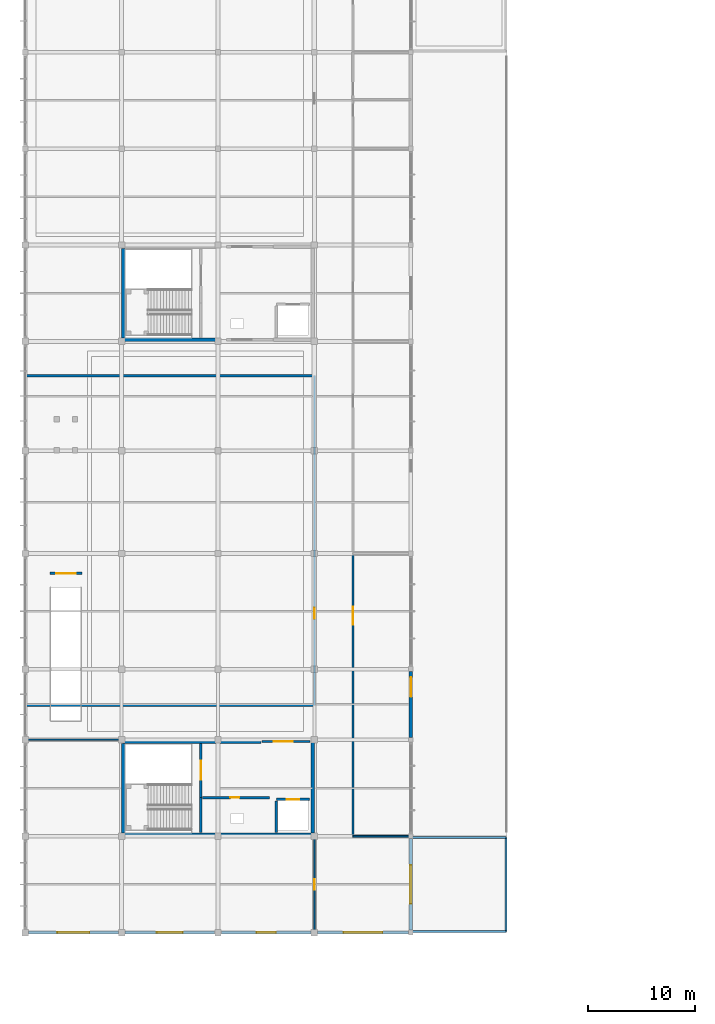
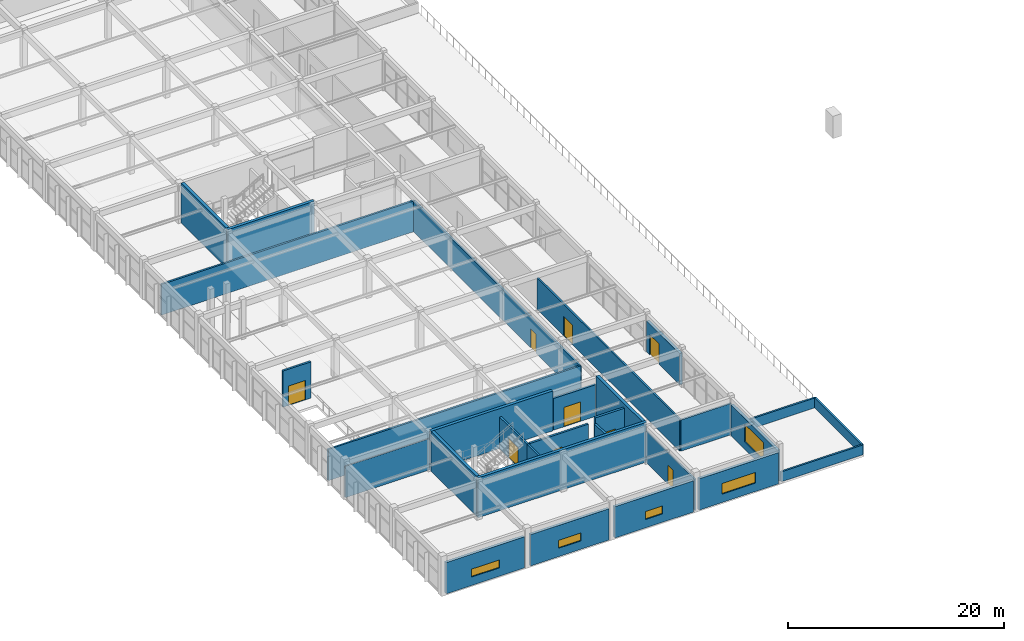
# One storey, part 66 of 89: 29 walls, 9 doors, 5 windows, 14 openings.
"""IFC4 building model written with IfcOpenShell, lengths in metres."""

from ifc_helpers import new_model, si_unit, direction, frame, frame_2d, origin, place, context, subcontext, project, spatial, rectangle, extrude, material, layer, layer_set, type_object, element, fill, save


model = new_model("IFC4")

# Units and contexts
model_context = context("Model", 3, precision=1e-05, world=origin(), true_north=direction((0.0, 1.0)))
body_context = subcontext(model_context, "Body", "Model", "MODEL_VIEW")
ifc_project = project(units=[si_unit("LENGTHUNIT", "METRE"), si_unit("AREAUNIT", "SQUARE_METRE"), si_unit("VOLUMEUNIT", "CUBIC_METRE"), si_unit("PLANEANGLEUNIT", "RADIAN"), si_unit("MASSUNIT", "GRAM", prefix="KILO")], contexts=[model_context])

# Site, building, storey
site_placement = place(None, origin())
site = spatial("IfcSite", under=ifc_project, at=site_placement, CompositionType="ELEMENT")
building_placement = place(site_placement, origin())
building = spatial("IfcBuilding", under=site, at=building_placement, Name="Suirenkawa Promenade Aquatics Centre", CompositionType="ELEMENT")
storey_placement = place(building_placement, frame((0.0, 0.0, 9.60009765625)))
storey = spatial("IfcBuildingStorey", under=building, at=storey_placement, Name="L02", CompositionType="ELEMENT", Elevation=9.60009765625)

# Wall, opening, door
ifc_material_1 = material(Name="Autoclaved aerated concrete blockwork Grade 1", Category="masonry")
ifc_layer_1 = layer(ifc_material_1, 0.199951171875, Name="Autoclaved aerated concrete blockwork Grade 1", Category="masonry")
ifc_layer_set_1 = layer_set([ifc_layer_1], Name="Autoclaved aerated concrete blockwork Grade 1")
wall_type_1 = type_object("IfcWallType", Name="WT-COMP-200", PredefinedType="PARTITIONING", material=ifc_layer_set_1)
wall_1_placement = place(storey_placement, frame((27.0, 25.39990234375, 0.0), z_axis=(0.0, 0.0, 1.0), x_axis=(0.0, 1.0, 0.0)))
wall_1 = element("IfcWall", 1, at=wall_1_placement, inside=storey, type_object=wall_type_1, Name="Interior wall WL-PRT-01 W-7258", PredefinedType="PARTITIONING", context=body_context, shape_type="SweptSolid", body=[
    extrude(rectangle(XDim=30.800048828125, YDim=0.199951171875, at=frame_2d((15.39990234375, 0.0))), origin(), (0.0, 0.0, 1.0), 3.474853515625),
])
opening_1_placement = place(wall_1_placement, frame((8.09912109375, 0.0, 0.0)))
opening_1 = element("IfcOpeningElement", 2, at=opening_1_placement, cuts=wall_1, Name="Opening ID-04", PredefinedType="OPENING", context=body_context, shape_type="SweptSolid", body=[
    extrude(rectangle(XDim=1.050048828125, YDim=2.14990234375, at=frame_2d((0.52490234375, 1.074951171875))), frame((0.0, 0.10986328125, 0.0), z_axis=(0.0, -1.0, 0.0), x_axis=(1.0, 0.0, 0.0)), (0.0, 0.0, 1.0), 0.219970703125),
])
ifc_material_2 = material(Name="Steel IS 2062 E350 (Grade 350)", Category="steel")
door_type_1 = type_object("IfcDoorType", Name="DT-FD120-1050x2150", OperationType="NOTDEFINED", PredefinedType="DOOR", material=ifc_material_2)
door_1_placement = place(opening_1_placement, origin())
door_1 = element("IfcDoor", 3, at=door_1_placement, inside=storey, type_object=door_type_1, Name="Interior door ID-04 DR-INT-0155", OperationType="SINGLE_SWING_RIGHT", OverallHeight=2.14990234375, OverallWidth=1.050048828125, PredefinedType="DOOR", context=body_context, shape_type="SweptSolid", body=[
    extrude(rectangle(XDim=1.050048828125, YDim=2.14990234375, at=frame_2d((0.52490234375, 1.074951171875))), frame((0.0, 0.02490234375, 0.0), z_axis=(0.0, -1.0, 0.0), x_axis=(1.0, 0.0, 0.0)), (0.0, 0.0, 1.0), 0.050048828125),
])
fill(opening_1, door_1)

# Walls
wall_2_placement = place(storey_placement, frame((0.0, 25.39990234375, 0.0), z_axis=(0.0, 0.0, 1.0), x_axis=(1.0, 0.0, 0.0)))
element("IfcWall", 4, at=wall_2_placement, inside=storey, type_object=wall_type_1, Name="Interior wall WL-PRT-01 W-7259", PredefinedType="PARTITIONING", context=body_context, shape_type="SweptSolid", body=[
    extrude(rectangle(XDim=27.0, YDim=0.199951171875, at=frame_2d((13.5, 0.0))), origin(), (0.0, 0.0, 1.0), 3.52490234375),
])
wall_3_placement = place(storey_placement, frame((0.0, 56.199951171875, 0.0), z_axis=(0.0, 0.0, 1.0), x_axis=(1.0, 0.0, 0.0)))
element("IfcWall", 5, at=wall_3_placement, inside=storey, type_object=wall_type_1, Name="Interior wall WL-PRT-01 W-7260", PredefinedType="PARTITIONING", context=body_context, shape_type="SweptSolid", body=[
    extrude(rectangle(XDim=27.0, YDim=0.199951171875, at=frame_2d((13.5, 0.0))), origin(), (0.0, 0.0, 1.0), 3.474853515625),
])
ifc_material_3 = material(Name="Concrete M40", Category="concrete")
ifc_layer_2 = layer(ifc_material_3, 0.320068359375, Name="Concrete M40", Category="concrete")
ifc_layer_set_2 = layer_set([ifc_layer_2], Name="Concrete M40")
wall_type_2 = type_object("IfcWallType", Name="WT-CORE-320", PredefinedType="SHEAR", material=ifc_layer_set_2)
wall_4_placement = place(storey_placement, frame((9.0, 13.360107421875, 0.0), z_axis=(0.0, 0.0, 1.0), x_axis=(1.0, 0.0, 0.0)))
element("IfcWall", 6, at=wall_4_placement, inside=storey, type_object=wall_type_2, Name="C1 south core wall WL-CORE-01 W-0062", PredefinedType="SHEAR", context=body_context, shape_type="SweptSolid", body=[
    extrude(rectangle(XDim=18.0, YDim=0.320068359375, at=frame_2d((9.0, 0.0))), origin(), (0.0, 0.0, 1.0), 4.5),
])
wall_5_placement = place(storey_placement, frame((9.0, 22.0400390625, 0.0), z_axis=(0.0, 0.0, 1.0), x_axis=(1.0, 0.0, 0.0)))
element("IfcWall", 7, at=wall_5_placement, inside=storey, type_object=wall_type_2, Name="C1 north core wall WL-CORE-01 W-0063", PredefinedType="SHEAR", context=body_context, shape_type="SweptSolid", body=[
    extrude(rectangle(XDim=13.0, YDim=0.320068359375, at=frame_2d((6.5, 0.0))), origin(), (0.0, 0.0, 1.0), 4.5),
])
wall_6_placement = place(storey_placement, frame((9.159912109375, 13.52001953125, 0.0), z_axis=(0.0, 0.0, 1.0), x_axis=(0.0, 1.0, 0.0)))
element("IfcWall", 8, at=wall_6_placement, inside=storey, type_object=wall_type_2, Name="C1 west core wall WL-CORE-01 W-0064", PredefinedType="SHEAR", context=body_context, shape_type="SweptSolid", body=[
    extrude(rectangle(XDim=8.35986328125, YDim=0.320068359375, at=frame_2d((4.179931640625, 0.0))), origin(), (0.0, 0.0, 1.0), 4.5),
])
wall_7_placement = place(storey_placement, frame((26.840087890625, 13.52001953125, 0.0), z_axis=(0.0, 0.0, 1.0), x_axis=(0.0, 1.0, 0.0)))
element("IfcWall", 9, at=wall_7_placement, inside=storey, type_object=wall_type_2, Name="C1 east core wall WL-CORE-01 W-0065", PredefinedType="SHEAR", context=body_context, shape_type="SweptSolid", body=[
    extrude(rectangle(XDim=8.47998046875, YDim=0.320068359375, at=frame_2d((4.239990234375, 0.0))), origin(), (0.0, 0.0, 1.0), 4.5),
])
wall_8_placement = place(storey_placement, frame((9.0, 59.56005859375, 0.0), z_axis=(0.0, 0.0, 1.0), x_axis=(1.0, 0.0, 0.0)))
element("IfcWall", 10, at=wall_8_placement, inside=storey, type_object=wall_type_2, Name="C2 south core wall WL-CORE-01 W-0092", PredefinedType="SHEAR", context=body_context, shape_type="SweptSolid", body=[
    extrude(rectangle(XDim=9.199951171875, YDim=0.320068359375, at=frame_2d((4.60009765625, 0.0))), origin(), (0.0, 0.0, 1.0), 4.5),
])
wall_9_placement = place(storey_placement, frame((9.159912109375, 59.719970703125, 0.0), z_axis=(0.0, 0.0, 1.0), x_axis=(0.0, 1.0, 0.0)))
element("IfcWall", 11, at=wall_9_placement, inside=storey, type_object=wall_type_2, Name="C2 west core wall WL-CORE-01 W-0096", PredefinedType="SHEAR", context=body_context, shape_type="SweptSolid", body=[
    extrude(rectangle(XDim=8.360107421875, YDim=0.320068359375, at=frame_2d((4.18017578125, 0.0))), origin(), (0.0, 0.0, 1.0), 4.5),
])

# Wall, opening, window
ifc_layer_3 = layer(ifc_material_3, 0.2900390625, Name="Concrete M40", Category="concrete")
ifc_layer_set_3 = layer_set([ifc_layer_3], Name="Concrete M40")
wall_type_3 = type_object("IfcWallType", Name="WT-EXT-290", PredefinedType="SOLIDWALL", material=ifc_layer_set_3)
wall_10_placement = place(storey_placement, frame((8.695068359375, 4.199951171875, 0.0), z_axis=(0.0, 0.0, 1.0), x_axis=(-1.0, 0.0, 0.0)))
wall_10 = element("IfcWall", 12, at=wall_10_placement, inside=storey, type_object=wall_type_3, Name="Exterior wall WL-EXT-03 W-5084", PredefinedType="SOLIDWALL", context=body_context, shape_type="SweptSolid", body=[
    extrude(rectangle(XDim=8.39013671875, YDim=0.2900390625, at=frame_2d((4.195068359375, 0.0))), origin(), (0.0, 0.0, 1.0), 3.52490234375),
])
opening_2_placement = place(wall_10_placement, frame((2.695068359375, 0.0, 0.949951171875)))
opening_2 = element("IfcOpeningElement", 13, at=opening_2_placement, cuts=wall_10, Name="Opening WN-02", PredefinedType="OPENING", context=body_context, shape_type="SweptSolid", body=[
    extrude(rectangle(XDim=3.0, YDim=0.89990234375, at=frame_2d((1.5, 0.449951171875))), frame((0.0, 0.155029296875, 0.0), z_axis=(0.0, -1.0, 0.0), x_axis=(1.0, 0.0, 0.0)), (0.0, 0.0, 1.0), 0.31005859375),
])
ifc_material_4 = material(Name="Low-E thermally broken double glazing", Category="glass")
window_type_1 = type_object("IfcWindowType", Name="WNT-RIB-3000x900", PartitioningType="SINGLE_PANEL", PredefinedType="WINDOW", material=ifc_material_4)
window_1_placement = place(opening_2_placement, origin())
window_1 = element("IfcWindow", 14, at=window_1_placement, inside=storey, type_object=window_type_1, Name="Window WN-02 WN-0031", OverallHeight=0.89990234375, OverallWidth=3.0, PartitioningType="SINGLE_PANEL", PredefinedType="WINDOW", context=body_context, shape_type="SweptSolid", body=[
    extrude(rectangle(XDim=3.0, YDim=0.89990234375, at=frame_2d((1.5, 0.449951171875))), frame((0.0, 0.030029296875, 0.0), z_axis=(0.0, -1.0, 0.0), x_axis=(1.0, 0.0, 0.0)), (0.0, 0.0, 1.0), 0.06005859375),
])
fill(opening_2, window_1)

wall_11_placement = place(storey_placement, frame((17.695068359375, 4.199951171875, 0.0), z_axis=(0.0, 0.0, 1.0), x_axis=(-1.0, 0.0, 0.0)))
wall_11 = element("IfcWall", 15, at=wall_11_placement, inside=storey, type_object=wall_type_3, Name="Exterior wall WL-EXT-03 W-5085", PredefinedType="SOLIDWALL", context=body_context, shape_type="SweptSolid", body=[
    extrude(rectangle(XDim=8.39013671875, YDim=0.2900390625, at=frame_2d((4.195068359375, 0.0))), origin(), (0.0, 0.0, 1.0), 3.52490234375),
])
opening_3_placement = place(wall_11_placement, frame((2.9951171875, 0.0, 0.949951171875)))
opening_3 = element("IfcOpeningElement", 16, at=opening_3_placement, cuts=wall_11, Name="Opening WN-03", PredefinedType="OPENING", context=body_context, shape_type="SweptSolid", body=[
    extrude(rectangle(XDim=2.39990234375, YDim=0.89990234375, at=frame_2d((1.199951171875, 0.449951171875))), frame((0.0, 0.155029296875, 0.0), z_axis=(0.0, -1.0, 0.0), x_axis=(1.0, 0.0, 0.0)), (0.0, 0.0, 1.0), 0.31005859375),
])
window_type_2 = type_object("IfcWindowType", Name="WNT-RIB-2400x900", PartitioningType="SINGLE_PANEL", PredefinedType="WINDOW", material=ifc_material_4)
window_2_placement = place(opening_3_placement, origin())
window_2 = element("IfcWindow", 17, at=window_2_placement, inside=storey, type_object=window_type_2, Name="Window WN-03 WN-0032", OverallHeight=0.89990234375, OverallWidth=2.39990234375, PartitioningType="SINGLE_PANEL", PredefinedType="WINDOW", context=body_context, shape_type="SweptSolid", body=[
    extrude(rectangle(XDim=2.39990234375, YDim=0.89990234375, at=frame_2d((1.199951171875, 0.449951171875))), frame((0.0, 0.030029296875, 0.0), z_axis=(0.0, -1.0, 0.0), x_axis=(1.0, 0.0, 0.0)), (0.0, 0.0, 1.0), 0.06005859375),
])
fill(opening_3, window_2)

wall_12_placement = place(storey_placement, frame((26.695068359375, 4.199951171875, 0.0), z_axis=(0.0, 0.0, 1.0), x_axis=(-1.0, 0.0, 0.0)))
wall_12 = element("IfcWall", 18, at=wall_12_placement, inside=storey, type_object=wall_type_3, Name="Exterior wall WL-EXT-03 W-5086", PredefinedType="SOLIDWALL", context=body_context, shape_type="SweptSolid", body=[
    extrude(rectangle(XDim=8.39013671875, YDim=0.2900390625, at=frame_2d((4.195068359375, 0.0))), origin(), (0.0, 0.0, 1.0), 3.52490234375),
])
opening_4_placement = place(wall_12_placement, frame((3.294921875, 0.0, 0.949951171875)))
opening_4 = element("IfcOpeningElement", 19, at=opening_4_placement, cuts=wall_12, Name="Opening WN-04", PredefinedType="OPENING", context=body_context, shape_type="SweptSolid", body=[
    extrude(rectangle(XDim=1.800048828125, YDim=0.89990234375, at=frame_2d((0.89990234375, 0.449951171875))), frame((0.0, 0.155029296875, 0.0), z_axis=(0.0, -1.0, 0.0), x_axis=(1.0, 0.0, 0.0)), (0.0, 0.0, 1.0), 0.31005859375),
])
window_type_3 = type_object("IfcWindowType", Name="WNT-RIB-1800x900", PartitioningType="SINGLE_PANEL", PredefinedType="WINDOW", material=ifc_material_4)
window_3_placement = place(opening_4_placement, origin())
window_3 = element("IfcWindow", 20, at=window_3_placement, inside=storey, type_object=window_type_3, Name="Window WN-04 WN-0033", OverallHeight=0.89990234375, OverallWidth=1.800048828125, PartitioningType="SINGLE_PANEL", PredefinedType="WINDOW", context=body_context, shape_type="SweptSolid", body=[
    extrude(rectangle(XDim=1.800048828125, YDim=0.89990234375, at=frame_2d((0.89990234375, 0.449951171875))), frame((0.0, 0.030029296875, 0.0), z_axis=(0.0, -1.0, 0.0), x_axis=(1.0, 0.0, 0.0)), (0.0, 0.0, 1.0), 0.06005859375),
])
fill(opening_4, window_3)

wall_13_placement = place(storey_placement, frame((35.77001953125, 4.199951171875, 0.0), z_axis=(0.0, 0.0, 1.0), x_axis=(-1.0, 0.0, 0.0)))
wall_13 = element("IfcWall", 21, at=wall_13_placement, inside=storey, type_object=wall_type_3, Name="Exterior wall WL-EXT-03 W-5087", PredefinedType="SOLIDWALL", context=body_context, shape_type="SweptSolid", body=[
    extrude(rectangle(XDim=8.465087890625, YDim=0.2900390625, at=frame_2d((4.232421875, 0.0))), origin(), (0.0, 0.0, 1.0), 3.52490234375),
])
opening_5_placement = place(wall_13_placement, frame((2.43310546875, 0.0, 0.949951171875)))
opening_5 = element("IfcOpeningElement", 22, at=opening_5_placement, cuts=wall_13, Name="Opening WN-05", PredefinedType="OPENING", context=body_context, shape_type="SweptSolid", body=[
    extrude(rectangle(XDim=3.60009765625, YDim=1.199951171875, at=frame_2d((1.800048828125, 0.60009765625))), frame((0.0, 0.155029296875, 0.0), z_axis=(0.0, -1.0, 0.0), x_axis=(1.0, 0.0, 0.0)), (0.0, 0.0, 1.0), 0.31005859375),
])
window_type_4 = type_object("IfcWindowType", Name="WNT-CLER-3600x1200", PartitioningType="SINGLE_PANEL", PredefinedType="WINDOW", material=ifc_material_4)
window_4_placement = place(opening_5_placement, origin())
window_4 = element("IfcWindow", 23, at=window_4_placement, inside=storey, type_object=window_type_4, Name="Window WN-05 WN-0034", OverallHeight=1.199951171875, OverallWidth=3.60009765625, PartitioningType="SINGLE_PANEL", PredefinedType="WINDOW", context=body_context, shape_type="SweptSolid", body=[
    extrude(rectangle(XDim=3.60009765625, YDim=1.199951171875, at=frame_2d((1.800048828125, 0.60009765625))), frame((0.0, 0.030029296875, 0.0), z_axis=(0.0, -1.0, 0.0), x_axis=(1.0, 0.0, 0.0)), (0.0, 0.0, 1.0), 0.06005859375),
])
fill(opening_5, window_4)

wall_14_placement = place(storey_placement, frame((36.0, 12.969970703125, 0.0), z_axis=(0.0, 0.0, 1.0), x_axis=(0.0, -1.0, 0.0)))
wall_14 = element("IfcWall", 24, at=wall_14_placement, inside=storey, type_object=wall_type_3, Name="Exterior wall WL-EXT-03 W-5109", PredefinedType="SOLIDWALL", context=body_context, shape_type="SweptSolid", body=[
    extrude(rectangle(XDim=8.5400390625, YDim=0.2900390625, at=frame_2d((4.27001953125, 0.0))), origin(), (0.0, 0.0, 1.0), 3.52490234375),
])
opening_6_placement = place(wall_14_placement, frame((2.469970703125, 0.0, 0.85009765625)))
opening_6 = element("IfcOpeningElement", 25, at=opening_6_placement, cuts=wall_14, Name="Opening WN-22", PredefinedType="OPENING", context=body_context, shape_type="SweptSolid", body=[
    extrude(rectangle(XDim=3.60009765625, YDim=2.0, at=frame_2d((1.800048828125, 1.0))), frame((0.0, 0.155029296875, 0.0), z_axis=(0.0, -1.0, 0.0), x_axis=(1.0, 0.0, 0.0)), (0.0, 0.0, 1.0), 0.31005859375),
])
window_type_5 = type_object("IfcWindowType", Name="WNT-VIEW-3600x2000", PartitioningType="SINGLE_PANEL", PredefinedType="WINDOW", material=ifc_material_4)
window_5_placement = place(opening_6_placement, origin())
window_5 = element("IfcWindow", 26, at=window_5_placement, inside=storey, type_object=window_type_5, Name="Window WN-22 WN-0051", OverallHeight=2.0, OverallWidth=3.60009765625, PartitioningType="SINGLE_PANEL", PredefinedType="WINDOW", context=body_context, shape_type="SweptSolid", body=[
    extrude(rectangle(XDim=3.60009765625, YDim=2.0, at=frame_2d((1.800048828125, 1.0))), frame((0.0, 0.030029296875, 0.0), z_axis=(0.0, -1.0, 0.0), x_axis=(1.0, 0.0, 0.0)), (0.0, 0.0, 1.0), 0.06005859375),
])
fill(opening_6, window_5)

# Wall, opening, door
wall_15_placement = place(storey_placement, frame((36.0, 28.570068359375, 0.0), z_axis=(0.0, 0.0, 1.0), x_axis=(0.0, -1.0, 0.0)))
wall_15 = element("IfcWall", 27, at=wall_15_placement, inside=storey, type_object=wall_type_3, Name="Exterior wall WL-EXT-03 W-5110", PredefinedType="SOLIDWALL", context=body_context, shape_type="SweptSolid", body=[
    extrude(rectangle(XDim=6.14013671875, YDim=0.2900390625, at=frame_2d((3.070068359375, 0.0))), origin(), (0.0, 0.0, 1.0), 3.52490234375),
])
opening_7_placement = place(wall_15_placement, frame((0.550048828125, 0.0, 0.0)))
opening_7 = element("IfcOpeningElement", 28, at=opening_7_placement, cuts=wall_15, Name="Opening ED-07", PredefinedType="OPENING", context=body_context, shape_type="SweptSolid", body=[
    extrude(rectangle(XDim=1.800048828125, YDim=2.300048828125, at=frame_2d((0.89990234375, 1.14990234375))), frame((0.0, 0.155029296875, 0.0), z_axis=(0.0, -1.0, 0.0), x_axis=(1.0, 0.0, 0.0)), (0.0, 0.0, 1.0), 0.31005859375),
])
ifc_material_5 = material(Name="Anodised aluminium 6063-T6", Category="aluminium")
door_type_2 = type_object("IfcDoorType", Name="DT-EXT-TERR-1800x2300", OperationType="DOUBLE_DOOR_SINGLE_SWING", PredefinedType="DOOR", material=ifc_material_5)
door_2_placement = place(opening_7_placement, origin())
door_2 = element("IfcDoor", 29, at=door_2_placement, inside=storey, type_object=door_type_2, Name="Exterior door ED-07 DR-EXT-050", OperationType="DOUBLE_DOOR_SINGLE_SWING", OverallHeight=2.300048828125, OverallWidth=1.800048828125, PredefinedType="DOOR", context=body_context, shape_type="SweptSolid", body=[
    extrude(rectangle(XDim=1.800048828125, YDim=2.300048828125, at=frame_2d((0.89990234375, 1.14990234375))), frame((0.0, 0.02490234375, 0.0), z_axis=(0.0, -1.0, 0.0), x_axis=(1.0, 0.0, 0.0)), (0.0, 0.0, 1.0), 0.050048828125),
])
fill(opening_7, door_2)

ifc_layer_4 = layer(ifc_material_1, 0.179931640625, Name="Autoclaved aerated concrete blockwork Grade 1", Category="masonry")
ifc_layer_set_4 = layer_set([ifc_layer_4], Name="Autoclaved aerated concrete blockwork Grade 1")
wall_type_4 = type_object("IfcWallType", Name="WT-FIRE-180", PredefinedType="PARTITIONING", material=ifc_layer_set_4)
wall_16_placement = place(storey_placement, frame((30.60009765625, 13.199951171875, 0.0), z_axis=(0.0, 0.0, 1.0), x_axis=(0.0, 1.0, 0.0)))
wall_16 = element("IfcWall", 30, at=wall_16_placement, inside=storey, type_object=wall_type_4, Name="Interior wall WL-PRT-02 W-7264", PredefinedType="PARTITIONING", context=body_context, shape_type="SweptSolid", body=[
    extrude(rectangle(XDim=26.400146484375, YDim=0.179931640625, at=frame_2d((13.2001953125, 0.0))), origin(), (0.0, 0.0, 1.0), 3.574951171875),
])
opening_8_placement = place(wall_16_placement, frame((19.76708984375, 0.0, 0.0)))
opening_8 = element("IfcOpeningElement", 31, at=opening_8_placement, cuts=wall_16, Name="Opening ID-05", PredefinedType="OPENING", context=body_context, shape_type="SweptSolid", body=[
    extrude(rectangle(XDim=1.64990234375, YDim=2.199951171875, at=frame_2d((0.824951171875, 1.10009765625))), frame((0.0, 0.099853515625, 0.0), z_axis=(0.0, -1.0, 0.0), x_axis=(1.0, 0.0, 0.0)), (0.0, 0.0, 1.0), 0.199951171875),
])
ifc_material_6 = material(Name="Engineered maple acoustic sports timber", Category="wood")
door_type_3 = type_object("IfcDoorType", Name="DT-FD60-1650x2200", OperationType="DOUBLE_DOOR_SINGLE_SWING", PredefinedType="DOOR", material=ifc_material_6)
door_3_placement = place(opening_8_placement, origin())
door_3 = element("IfcDoor", 32, at=door_3_placement, inside=storey, type_object=door_type_3, Name="Interior door ID-05 DR-INT-0157", OperationType="DOUBLE_DOOR_SINGLE_SWING", OverallHeight=2.199951171875, OverallWidth=1.64990234375, PredefinedType="DOOR", context=body_context, shape_type="SweptSolid", body=[
    extrude(rectangle(XDim=1.64990234375, YDim=2.199951171875, at=frame_2d((0.824951171875, 1.10009765625))), frame((0.0, 0.02490234375, 0.0), z_axis=(0.0, -1.0, 0.0), x_axis=(1.0, 0.0, 0.0)), (0.0, 0.0, 1.0), 0.050048828125),
])
fill(opening_8, door_3)

# Walls
wall_17_placement = place(storey_placement, frame((30.60009765625, 13.199951171875, 0.0), z_axis=(0.0, 0.0, 1.0), x_axis=(1.0, 0.0, 0.0)))
element("IfcWall", 33, at=wall_17_placement, inside=storey, type_object=wall_type_4, Name="Interior wall WL-PRT-02 W-7265", PredefinedType="PARTITIONING", context=body_context, shape_type="SweptSolid", body=[
    extrude(rectangle(XDim=5.39990234375, YDim=0.179931640625, at=frame_2d((2.699951171875, 0.0))), origin(), (0.0, 0.0, 1.0), 3.52490234375),
])
ifc_material_7 = material(Name="Moisture-resistant acoustic gypsum board")
ifc_layer_5 = layer(ifc_material_7, 0.1201171875, Name="Moisture-resistant acoustic gypsum board")
ifc_layer_set_5 = layer_set([ifc_layer_5], Name="Moisture-resistant acoustic gypsum board")
wall_type_5 = type_object("IfcWallType", Name="WT-LIGHT-120", PredefinedType="PARTITIONING", material=ifc_layer_set_5)
wall_18_placement = place(storey_placement, frame((0.0, 22.199951171875, 0.0), z_axis=(0.0, 0.0, 1.0), x_axis=(1.0, 0.0, 0.0)))
element("IfcWall", 34, at=wall_18_placement, inside=storey, type_object=wall_type_5, Name="Interior wall WL-PRT-05 W-7263", PredefinedType="PARTITIONING", context=body_context, shape_type="SweptSolid", body=[
    extrude(rectangle(XDim=9.0, YDim=0.1201171875, at=frame_2d((4.5, 0.0))), origin(), (0.0, 0.0, 1.0), 3.52490234375),
])

# Wall, opening, door
ifc_material_8 = material(Name="Concrete M35", Category="concrete")
ifc_layer_6 = layer(ifc_material_8, 0.219970703125, Name="Concrete M35", Category="concrete")
ifc_layer_set_6 = layer_set([ifc_layer_6], Name="Concrete M35")
wall_type_6 = type_object("IfcWallType", Name="WT-LOBBY-220", PredefinedType="PARTITIONING", material=ifc_layer_set_6)
wall_19_placement = place(storey_placement, frame((16.39990234375, 21.85009765625, 0.0), z_axis=(0.0, 0.0, 1.0), x_axis=(0.0, -1.0, 0.0)))
wall_19 = element("IfcWall", 35, at=wall_19_placement, inside=storey, type_object=wall_type_6, Name="Interior wall WL-LOB-01 W-7018", PredefinedType="PARTITIONING", context=body_context, shape_type="SweptSolid", body=[
    extrude(rectangle(XDim=5.050048828125, YDim=0.219970703125, at=frame_2d((2.52490234375, 0.0))), origin(), (0.0, 0.0, 1.0), 3.574951171875),
])
opening_9_placement = place(wall_19_placement, frame((1.60009765625, 0.0, 0.0)))
opening_9 = element("IfcOpeningElement", 36, at=opening_9_placement, cuts=wall_19, Name="Opening ID-02", PredefinedType="OPENING", context=body_context, shape_type="SweptSolid", body=[
    extrude(rectangle(XDim=1.800048828125, YDim=2.199951171875, at=frame_2d((0.89990234375, 1.10009765625))), frame((0.0, 0.119873046875, 0.0), z_axis=(0.0, -1.0, 0.0), x_axis=(1.0, 0.0, 0.0)), (0.0, 0.0, 1.0), 0.239990234375),
])
door_type_4 = type_object("IfcDoorType", Name="DT-FD120-1800x2200", OperationType="DOUBLE_DOOR_SINGLE_SWING", PredefinedType="DOOR", material=ifc_material_2)
door_4_placement = place(opening_9_placement, origin())
door_4 = element("IfcDoor", 37, at=door_4_placement, inside=storey, type_object=door_type_4, Name="Interior door ID-02 DR-INT-0012", OperationType="DOUBLE_DOOR_SINGLE_SWING", OverallHeight=2.199951171875, OverallWidth=1.800048828125, PredefinedType="DOOR", context=body_context, shape_type="SweptSolid", body=[
    extrude(rectangle(XDim=1.800048828125, YDim=2.199951171875, at=frame_2d((0.89990234375, 1.10009765625))), frame((0.0, 0.02490234375, 0.0), z_axis=(0.0, -1.0, 0.0), x_axis=(1.0, 0.0, 0.0)), (0.0, 0.0, 1.0), 0.050048828125),
])
fill(opening_9, door_4)

# Wall
wall_20_placement = place(storey_placement, frame((16.39990234375, 13.550048828125, 0.0), z_axis=(0.0, 0.0, 1.0), x_axis=(0.0, 1.0, 0.0)))
element("IfcWall", 38, at=wall_20_placement, inside=storey, type_object=wall_type_6, Name="Interior wall WL-LOB-01 W-7019", PredefinedType="PARTITIONING", context=body_context, shape_type="SweptSolid", body=[
    extrude(rectangle(XDim=3.25, YDim=0.219970703125, at=frame_2d((1.625, 0.0))), origin(), (0.0, 0.0, 1.0), 3.574951171875),
])

# Wall, opening, door
wall_21_placement = place(storey_placement, frame((16.550048828125, 16.800048828125, 0.0), z_axis=(0.0, 0.0, 1.0), x_axis=(1.0, 0.0, 0.0)))
wall_21 = element("IfcWall", 39, at=wall_21_placement, inside=storey, type_object=wall_type_6, Name="Interior wall WL-LOB-01 W-7020", PredefinedType="PARTITIONING", context=body_context, shape_type="SweptSolid", body=[
    extrude(rectangle(XDim=6.25, YDim=0.219970703125, at=frame_2d((3.125, 0.0))), origin(), (0.0, 0.0, 1.0), 3.625),
])
opening_10_placement = place(wall_21_placement, frame((2.60009765625, 0.0, 0.0)))
opening_10 = element("IfcOpeningElement", 40, at=opening_10_placement, cuts=wall_21, Name="Opening ID-13", PredefinedType="OPENING", context=body_context, shape_type="SweptSolid", body=[
    extrude(rectangle(XDim=0.85009765625, YDim=2.050048828125, at=frame_2d((0.425048828125, 1.02490234375))), frame((0.0, 0.119873046875, 0.0), z_axis=(0.0, -1.0, 0.0), x_axis=(1.0, 0.0, 0.0)), (0.0, 0.0, 1.0), 0.239990234375),
])
door_type_5 = type_object("IfcDoorType", Name="DT-RISER-850x2050", OperationType="NOTDEFINED", PredefinedType="DOOR", material=ifc_material_2)
door_5_placement = place(opening_10_placement, origin())
door_5 = element("IfcDoor", 41, at=door_5_placement, inside=storey, type_object=door_type_5, Name="Interior door ID-13 DR-INT-0013", OperationType="SINGLE_SWING_LEFT", OverallHeight=2.050048828125, OverallWidth=0.85009765625, PredefinedType="DOOR", context=body_context, shape_type="SweptSolid", body=[
    extrude(rectangle(XDim=0.85009765625, YDim=2.050048828125, at=frame_2d((0.425048828125, 1.02490234375))), frame((0.0, 0.02490234375, 0.0), z_axis=(0.0, -1.0, 0.0), x_axis=(1.0, 0.0, 0.0)), (0.0, 0.0, 1.0), 0.050048828125),
])
fill(opening_10, door_5)

wall_22_placement = place(storey_placement, frame((22.10009765625, 22.0400390625, 0.0), z_axis=(0.0, 0.0, 1.0), x_axis=(1.0, 0.0, 0.0)))
wall_22 = element("IfcWall", 42, at=wall_22_placement, inside=storey, type_object=wall_type_6, Name="Interior wall WL-LOB-01 W-7023", PredefinedType="PARTITIONING", context=body_context, shape_type="SweptSolid", body=[
    extrude(rectangle(XDim=4.5, YDim=0.219970703125, at=frame_2d((2.25, 0.0))), origin(), (0.0, 0.0, 1.0), 3.574951171875),
])
opening_11_placement = place(wall_22_placement, frame((1.10009765625, 0.0, 0.0)))
opening_11 = element("IfcOpeningElement", 43, at=opening_11_placement, cuts=wall_22, Name="Opening ID-02", PredefinedType="OPENING", context=body_context, shape_type="SweptSolid", body=[
    extrude(rectangle(XDim=1.800048828125, YDim=2.199951171875, at=frame_2d((0.89990234375, 1.10009765625))), frame((0.0, 0.119873046875, 0.0), z_axis=(0.0, -1.0, 0.0), x_axis=(1.0, 0.0, 0.0)), (0.0, 0.0, 1.0), 0.239990234375),
])
door_6_placement = place(opening_11_placement, origin())
door_6 = element("IfcDoor", 44, at=door_6_placement, inside=storey, type_object=door_type_4, Name="Interior door ID-02 DR-INT-0015", OperationType="DOUBLE_DOOR_SINGLE_SWING", OverallHeight=2.199951171875, OverallWidth=1.800048828125, PredefinedType="DOOR", context=body_context, shape_type="SweptSolid", body=[
    extrude(rectangle(XDim=1.800048828125, YDim=2.199951171875, at=frame_2d((0.89990234375, 1.10009765625))), frame((0.0, 0.02490234375, 0.0), z_axis=(0.0, -1.0, 0.0), x_axis=(1.0, 0.0, 0.0)), (0.0, 0.0, 1.0), 0.050048828125),
])
fill(opening_11, door_6)

wall_23_placement = place(storey_placement, frame((2.300048828125, 37.75, 0.0), z_axis=(0.0, 0.0, 1.0), x_axis=(1.0, 0.0, 0.0)))
wall_23 = element("IfcWall", 45, at=wall_23_placement, inside=storey, type_object=wall_type_6, Name="Interior wall WL-LOB-01 W-7407", PredefinedType="PARTITIONING", context=body_context, shape_type="SweptSolid", body=[
    extrude(rectangle(XDim=3.0, YDim=0.219970703125, at=frame_2d((1.5, 0.0))), origin(), (0.0, 0.0, 1.0), 4.0849609375),
])
opening_12_placement = place(wall_23_placement, frame((0.60009765625, 0.0, 0.0)))
opening_12 = element("IfcOpeningElement", 46, at=opening_12_placement, cuts=wall_23, Name="Opening ID-02", PredefinedType="OPENING", context=body_context, shape_type="SweptSolid", body=[
    extrude(rectangle(XDim=1.800048828125, YDim=2.199951171875, at=frame_2d((0.89990234375, 1.10009765625))), frame((0.0, 0.119873046875, 0.0), z_axis=(0.0, -1.0, 0.0), x_axis=(1.0, 0.0, 0.0)), (0.0, 0.0, 1.0), 0.239990234375),
])
door_7_placement = place(opening_12_placement, origin())
door_7 = element("IfcDoor", 47, at=door_7_placement, inside=storey, type_object=door_type_4, Name="Interior door ID-02 DR-INT-0243", OperationType="DOUBLE_DOOR_SINGLE_SWING", OverallHeight=2.199951171875, OverallWidth=1.800048828125, PredefinedType="DOOR", context=body_context, shape_type="SweptSolid", body=[
    extrude(rectangle(XDim=1.800048828125, YDim=2.199951171875, at=frame_2d((0.89990234375, 1.10009765625))), frame((0.0, 0.02490234375, 0.0), z_axis=(0.0, -1.0, 0.0), x_axis=(1.0, 0.0, 0.0)), (0.0, 0.0, 1.0), 0.050048828125),
])
fill(opening_12, door_7)

# Walls
ifc_layer_7 = layer(ifc_material_3, 0.18994140625, Name="Concrete M40", Category="concrete")
ifc_layer_set_7 = layer_set([ifc_layer_7], Name="Concrete M40")
wall_type_7 = type_object("IfcWallType", Name="WT-PARAPET-190", PredefinedType="PARAPET", material=ifc_layer_set_7)
wall_24_placement = place(storey_placement, frame((36.14990234375, 13.080078125, 0.0), z_axis=(0.0, 0.0, 1.0), x_axis=(1.0, 0.0, 0.0)))
element("IfcWall", 48, at=wall_24_placement, inside=storey, type_object=wall_type_7, Name="Setback roof parapet WL-PAR-02 W-5139", PredefinedType="PARAPET", context=body_context, shape_type="SweptSolid", body=[
    extrude(rectangle(XDim=8.75, YDim=0.18994140625, at=frame_2d((4.375, 0.0))), origin(), (0.0, 0.0, 1.0), 1.119873046875),
])
wall_25_placement = place(storey_placement, frame((44.89990234375, 4.300048828125, 0.0), z_axis=(0.0, 0.0, 1.0), x_axis=(0.0, 1.0, 0.0)))
element("IfcWall", 49, at=wall_25_placement, inside=storey, type_object=wall_type_7, Name="Setback roof parapet WL-PAR-02 W-5140", PredefinedType="PARAPET", context=body_context, shape_type="SweptSolid", body=[
    extrude(rectangle(XDim=8.780029296875, YDim=0.18994140625, at=frame_2d((4.39013671875, 0.0))), origin(), (0.0, 0.0, 1.0), 1.119873046875),
])
wall_26_placement = place(storey_placement, frame((36.14990234375, 4.300048828125, 0.0), z_axis=(0.0, 0.0, 1.0), x_axis=(1.0, 0.0, 0.0)))
element("IfcWall", 50, at=wall_26_placement, inside=storey, type_object=wall_type_7, Name="Setback roof parapet WL-PAR-02 W-5141", PredefinedType="PARAPET", context=body_context, shape_type="SweptSolid", body=[
    extrude(rectangle(XDim=8.75, YDim=0.18994140625, at=frame_2d((4.375, 0.0))), origin(), (0.0, 0.0, 1.0), 1.119873046875),
])

# Wall, opening, door
ifc_layer_8 = layer(ifc_material_3, 0.239990234375, Name="Concrete M40", Category="concrete")
ifc_layer_set_8 = layer_set([ifc_layer_8], Name="Concrete M40")
wall_type_8 = type_object("IfcWallType", Name="WT-SHAFT-240", PredefinedType="SOLIDWALL", material=ifc_layer_set_8)
wall_27_placement = place(storey_placement, frame((23.449951171875, 16.64990234375, 0.0), z_axis=(0.0, 0.0, 1.0), x_axis=(1.0, 0.0, 0.0)))
wall_27 = element("IfcWall", 51, at=wall_27_placement, inside=storey, type_object=wall_type_8, Name="Interior wall WL-SHF-01 W-7021", PredefinedType="SOLIDWALL", context=body_context, shape_type="SweptSolid", body=[
    extrude(rectangle(XDim=3.10009765625, YDim=0.239990234375, at=frame_2d((1.550048828125, 0.0))), origin(), (0.0, 0.0, 1.0), 4.204833984375),
])
opening_13_placement = place(wall_27_placement, frame((0.949951171875, 0.0, 0.0)))
opening_13 = element("IfcOpeningElement", 52, at=opening_13_placement, cuts=wall_27, Name="Opening LD-02", PredefinedType="OPENING", context=body_context, shape_type="SweptSolid", body=[
    extrude(rectangle(XDim=1.199951171875, YDim=2.199951171875, at=frame_2d((0.60009765625, 1.10009765625))), frame((0.0, 0.1298828125, 0.0), z_axis=(0.0, -1.0, 0.0), x_axis=(1.0, 0.0, 0.0)), (0.0, 0.0, 1.0), 0.260009765625),
])
ifc_material_9 = material(Name="Marine-grade stainless steel Grade 316L", Category="steel")
door_type_6 = type_object("IfcDoorType", Name="DT-LIFT-1200x2200", OperationType="DOUBLE_DOOR_SLIDING", PredefinedType="DOOR", material=ifc_material_9)
door_8_placement = place(opening_13_placement, origin())
door_8 = element("IfcDoor", 53, at=door_8_placement, inside=storey, type_object=door_type_6, Name="Landing door LD-02 DR-INT-0014", OperationType="DOUBLE_DOOR_SLIDING", OverallHeight=2.199951171875, OverallWidth=1.199951171875, PredefinedType="DOOR", context=body_context, shape_type="SweptSolid", body=[
    extrude(rectangle(XDim=1.199951171875, YDim=2.199951171875, at=frame_2d((0.60009765625, 1.10009765625))), frame((0.0, 0.02490234375, 0.0), z_axis=(0.0, -1.0, 0.0), x_axis=(1.0, 0.0, 0.0)), (0.0, 0.0, 1.0), 0.050048828125),
])
fill(opening_13, door_8)

# Wall
wall_28_placement = place(storey_placement, frame((23.449951171875, 13.550048828125, 0.0), z_axis=(0.0, 0.0, 1.0), x_axis=(0.0, 1.0, 0.0)))
element("IfcWall", 54, at=wall_28_placement, inside=storey, type_object=wall_type_8, Name="Interior wall WL-SHF-01 W-7022", PredefinedType="SOLIDWALL", context=body_context, shape_type="SweptSolid", body=[
    extrude(rectangle(XDim=2.949951171875, YDim=0.239990234375, at=frame_2d((1.47509765625, 0.0))), origin(), (0.0, 0.0, 1.0), 3.574951171875),
])

# Wall, opening, door
ifc_layer_9 = layer(ifc_material_7, 0.139892578125, Name="Moisture-resistant acoustic gypsum board")
ifc_layer_set_9 = layer_set([ifc_layer_9], Name="Moisture-resistant acoustic gypsum board")
wall_type_9 = type_object("IfcWallType", Name="WT-STD-140", PredefinedType="PARTITIONING", material=ifc_layer_set_9)
wall_29_placement = place(storey_placement, frame((27.0, 4.199951171875, 0.0), z_axis=(0.0, 0.0, 1.0), x_axis=(0.0, 1.0, 0.0)))
wall_29 = element("IfcWall", 55, at=wall_29_placement, inside=storey, type_object=wall_type_9, Name="Interior wall WL-PRT-04 W-7269", PredefinedType="PARTITIONING", context=body_context, shape_type="SweptSolid", body=[
    extrude(rectangle(XDim=9.0, YDim=0.139892578125, at=frame_2d((4.5, 0.0))), origin(), (0.0, 0.0, 1.0), 3.52490234375),
])
opening_14_placement = place(wall_29_placement, frame((4.02490234375, 0.0, 0.0)))
opening_14 = element("IfcOpeningElement", 56, at=opening_14_placement, cuts=wall_29, Name="Opening ID-11", PredefinedType="OPENING", context=body_context, shape_type="SweptSolid", body=[
    extrude(rectangle(XDim=0.949951171875, YDim=2.10009765625, at=frame_2d((0.47509765625, 1.050048828125))), frame((0.0, 0.079833984375, 0.0), z_axis=(0.0, -1.0, 0.0), x_axis=(1.0, 0.0, 0.0)), (0.0, 0.0, 1.0), 0.159912109375),
])
door_type_7 = type_object("IfcDoorType", Name="DT-STD-950x2100", OperationType="NOTDEFINED", PredefinedType="DOOR", material=ifc_material_6)
door_9_placement = place(opening_14_placement, origin())
door_9 = element("IfcDoor", 57, at=door_9_placement, inside=storey, type_object=door_type_7, Name="Interior door ID-11 DR-INT-0159", OperationType="SINGLE_SWING_LEFT", OverallHeight=2.10009765625, OverallWidth=0.949951171875, PredefinedType="DOOR", context=body_context, shape_type="SweptSolid", body=[
    extrude(rectangle(XDim=0.949951171875, YDim=2.10009765625, at=frame_2d((0.47509765625, 1.050048828125))), frame((0.0, 0.02490234375, 0.0), z_axis=(0.0, -1.0, 0.0), x_axis=(1.0, 0.0, 0.0)), (0.0, 0.0, 1.0), 0.050048828125),
])
fill(opening_14, door_9)

save(model, "model.ifc")
